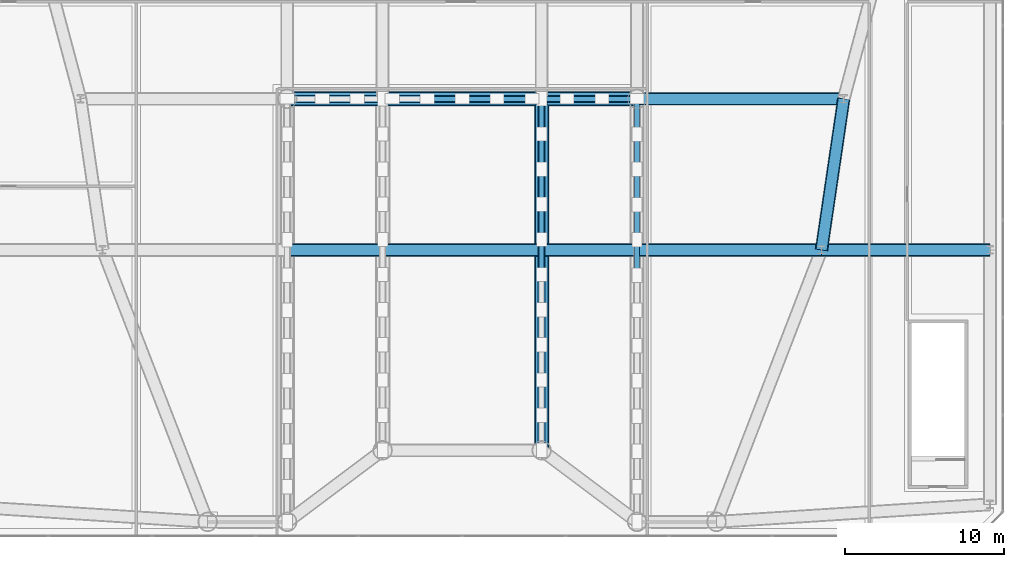
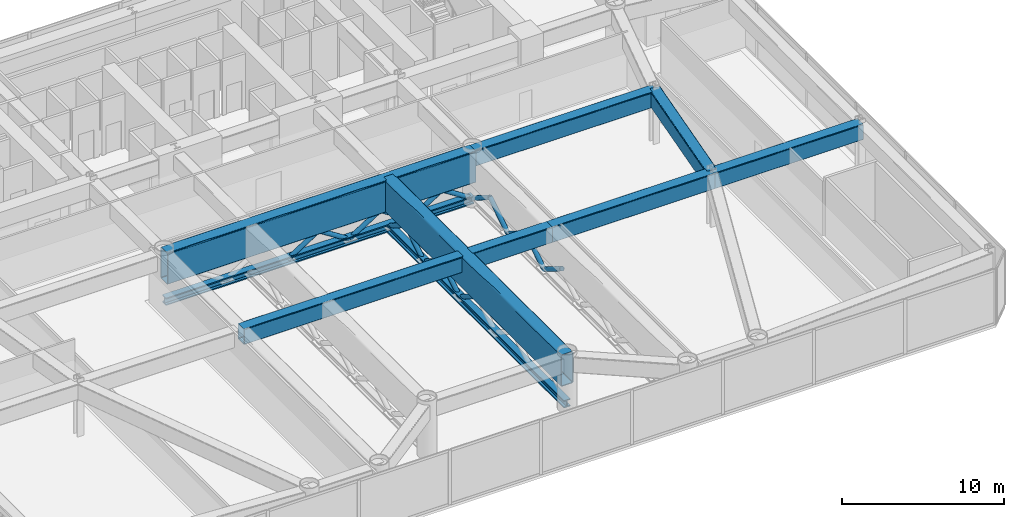
# One storey, part 6 of 21: 18 members, 7 beams.
"""IFC4 building model written with IfcOpenShell, lengths in metres."""

from ifc_helpers import new_model, si_unit, direction, frame, origin, origin_2d, place, context, subcontext, project, spatial, hollow_rectangle, hollow_circle, i_section, extrude, source, transform, mapped, material, material_profile, profile_set, type_object, element, save


model = new_model("IFC4")

# Units and contexts
model_context = context("Model", 3, precision=1e-05, world=origin(), true_north=direction((0.0, 1.0)))
body_context = subcontext(model_context, "Body", "Model", "MODEL_VIEW")
ifc_project = project(units=[si_unit("LENGTHUNIT", "METRE"), si_unit("AREAUNIT", "SQUARE_METRE"), si_unit("VOLUMEUNIT", "CUBIC_METRE"), si_unit("PLANEANGLEUNIT", "RADIAN"), si_unit("MASSUNIT", "GRAM", prefix="KILO")], contexts=[model_context])

# Site, building, storey
site_placement = place(None, origin())
site = spatial("IfcSite", under=ifc_project, at=site_placement, CompositionType="ELEMENT")
building_placement = place(site_placement, origin())
building = spatial("IfcBuilding", under=site, at=building_placement, Name="Vaeldorn Concourse Tower", CompositionType="ELEMENT")
storey_placement = place(building_placement, frame((0.0, 0.0, 14.39990234375)))
storey = spatial("IfcBuildingStorey", under=building, at=storey_placement, Name="L03", CompositionType="ELEMENT", Elevation=14.39990234375)

# Beams
ifc_material = material(Name="Steel S460", Category="steel")
ifc_material_profile_1 = material_profile(ifc_material, hollow_rectangle(XDim=0.89990234375, YDim=2.39990234375, WallThickness=0.06005859375, InnerFilletRadius=0.06005859375, OuterFilletRadius=0.1201171875, at=origin_2d()), Name="RHS 2400x900x60")
ifc_profile_set_1 = profile_set([ifc_material_profile_1], Name="Steel S460")
beam_type_1 = type_object("IfcBeamType", Name="BM-TG-BOX2400", PredefinedType="BEAM", material=ifc_profile_set_1)
shared_shape_1 = source(origin(), body_context, "Body", "SweptSolid", [
    extrude(hollow_rectangle(XDim=0.89990234375, YDim=2.39990234375, WallThickness=0.06005859375, InnerFilletRadius=0.06005859375, OuterFilletRadius=0.1201171875, at=origin_2d()), origin(), (0.0, 0.0, 1.0), 22.10009765625),
])
beam_1_placement = place(storey_placement, frame((39.0, 5.39990234375, 2.920166015625), z_axis=(0.0, 1.0, 0.0), x_axis=(-1.0, 0.0, 0.0)))
element("IfcBeam", 1, at=beam_1_placement, inside=storey, type_object=beam_type_1, Name="Beam BM-L03-TG-M22400", PredefinedType="BEAM", context=body_context, shape_type="MappedRepresentation", body=[
    mapped(shared_shape_1, transform((0.0, 0.0, 0.0), scale=1.0)),
])
shared_shape_2 = source(origin(), body_context, "Body", "SweptSolid", [
    extrude(hollow_rectangle(XDim=0.89990234375, YDim=2.39990234375, WallThickness=0.06005859375, InnerFilletRadius=0.06005859375, OuterFilletRadius=0.1201171875, at=origin_2d()), origin(), (0.0, 0.0, 1.0), 22.0),
])
beam_2_placement = place(storey_placement, frame((23.0, 27.5, 2.920166015625), z_axis=(1.0, 0.0, 0.0), x_axis=(0.0, 1.0, 0.0)))
element("IfcBeam", 2, at=beam_2_placement, inside=storey, type_object=beam_type_1, Name="Beam BM-L03-TG-EW2400", PredefinedType="BEAM", context=body_context, shape_type="MappedRepresentation", body=[
    mapped(shared_shape_2, transform((0.0, 0.0, 0.0), scale=1.0)),
])
ifc_material_profile_2 = material_profile(ifc_material, hollow_rectangle(XDim=0.800048828125, YDim=1.199951171875, WallThickness=0.044921875, InnerFilletRadius=0.044921875, OuterFilletRadius=0.090087890625, at=origin_2d()), Name="RHS 1200x800x45")
ifc_profile_set_2 = profile_set([ifc_material_profile_2], Name="Steel S460")
beam_type_2 = type_object("IfcBeamType", Name="BM-TG-RHS1200", PredefinedType="BEAM", material=ifc_profile_set_2)
shared_shape_3 = source(origin(), body_context, "Body", "SweptSolid", [
    extrude(hollow_rectangle(XDim=0.800048828125, YDim=1.199951171875, WallThickness=0.044921875, InnerFilletRadius=0.044921875, OuterFilletRadius=0.090087890625, at=origin_2d()), origin(), (0.0, 0.0, 1.0), 13.0),
])
beam_3_placement = place(storey_placement, frame((45.0, 27.5, 3.52001953125), z_axis=(1.0, 0.0, 0.0), x_axis=(0.0, 1.0, 0.0)))
element("IfcBeam", 3, at=beam_3_placement, inside=storey, type_object=beam_type_2, Name="Beam BM-L03-TG-08", PredefinedType="BEAM", context=body_context, shape_type="MappedRepresentation", body=[
    mapped(shared_shape_3, transform((0.0, 0.0, 0.0), scale=1.0)),
])
shared_shape_4 = source(origin(), body_context, "Body", "SweptSolid", [
    extrude(hollow_rectangle(XDim=0.800048828125, YDim=1.199951171875, WallThickness=0.044921875, InnerFilletRadius=0.044921875, OuterFilletRadius=0.090087890625, at=origin_2d()), origin(), (0.0, 0.0, 1.0), 11.60009765625),
])
beam_4_placement = place(storey_placement, frame((45.0, 18.0, 3.52001953125), z_axis=(1.0, 0.0, 0.0), x_axis=(0.0, 1.0, 0.0)))
element("IfcBeam", 4, at=beam_4_placement, inside=storey, type_object=beam_type_2, Name="Beam BM-L03-TG-11", PredefinedType="BEAM", context=body_context, shape_type="MappedRepresentation", body=[
    mapped(shared_shape_4, transform((0.0, 0.0, 0.0), scale=1.0)),
])
shared_shape_5 = source(origin(), body_context, "Body", "SweptSolid", [
    extrude(hollow_rectangle(XDim=0.800048828125, YDim=1.199951171875, WallThickness=0.044921875, InnerFilletRadius=0.044921875, OuterFilletRadius=0.090087890625, at=origin_2d()), origin(), (0.0, 0.0, 1.0), 22.0),
])
beam_5_placement = place(storey_placement, frame((23.0, 18.0, 3.52001953125), z_axis=(1.0, 0.0, 0.0), x_axis=(0.0, 1.0, 0.0)))
element("IfcBeam", 5, at=beam_5_placement, inside=storey, type_object=beam_type_2, Name="Beam BM-L03-TG-10", PredefinedType="BEAM", context=body_context, shape_type="MappedRepresentation", body=[
    mapped(shared_shape_5, transform((0.0, 0.0, 0.0), scale=1.0)),
])
shared_shape_6 = source(origin(), body_context, "Body", "SweptSolid", [
    extrude(hollow_rectangle(XDim=0.800048828125, YDim=1.199951171875, WallThickness=0.044921875, InnerFilletRadius=0.044921875, OuterFilletRadius=0.090087890625, at=origin_2d()), origin(), (0.0, 0.0, 1.0), 10.599853515625),
])
beam_6_placement = place(storey_placement, frame((56.60009765625, 18.0, 3.52001953125), z_axis=(1.0, 0.0, 0.0), x_axis=(0.0, 1.0, 0.0)))
element("IfcBeam", 6, at=beam_6_placement, inside=storey, type_object=beam_type_2, Name="Beam BM-L03-TG-26", PredefinedType="BEAM", context=body_context, shape_type="MappedRepresentation", body=[
    mapped(shared_shape_6, transform((0.0, 0.0, 0.0), scale=1.0)),
])
shared_shape_7 = source(origin(), body_context, "Body", "SweptSolid", [
    extrude(hollow_rectangle(XDim=0.800048828125, YDim=1.199951171875, WallThickness=0.044921875, InnerFilletRadius=0.044921875, OuterFilletRadius=0.090087890625, at=origin_2d()), origin(), (0.0, 0.0, 1.0), 9.6025390625),
])
beam_7_placement = place(storey_placement, frame((58.0, 27.5, 3.52001953125), z_axis=(-0.145783835977, -0.989316467652, 0.0), x_axis=(0.989316467652, -0.145783835977, 0.0)))
element("IfcBeam", 7, at=beam_7_placement, inside=storey, type_object=beam_type_2, Name="Beam BM-L03-TG-41", PredefinedType="BEAM", context=body_context, shape_type="MappedRepresentation", body=[
    mapped(shared_shape_7, transform((0.0, 0.0, 0.0), scale=1.0)),
])

# Members
ifc_material_profile_3 = material_profile(ifc_material, i_section(OverallWidth=0.4541015625, OverallDepth=0.569091796875, WebThickness=0.077880859375, FlangeThickness=0.080078125, FilletRadius=0.014892578125, at=origin_2d()), Name="HD 400x1086")
ifc_profile_set_3 = profile_set([ifc_material_profile_3], Name="Steel S460")
member_type_1 = type_object("IfcMemberType", Name="MB-TT-CHORD", PredefinedType="CHORD", material=ifc_profile_set_3)
shared_shape_8 = source(origin(), body_context, "Body", "SweptSolid", [
    extrude(i_section(OverallWidth=0.4541015625, OverallDepth=0.569091796875, WebThickness=0.077880859375, FlangeThickness=0.080078125, FilletRadius=0.014892578125, at=origin_2d()), origin(), (0.0, 0.0, 1.0), 22.0),
])
member_1_placement = place(storey_placement, frame((23.0, 27.5, 0.320068359375), z_axis=(1.0, 0.0, 0.0), x_axis=(0.0, 1.0, 0.0)))
element("IfcMember", 8, at=member_1_placement, inside=storey, type_object=member_type_1, Name="Concourse Transverse Collector Truss TT5 Bottom Chord", PredefinedType="CHORD", context=body_context, shape_type="MappedRepresentation", body=[
    mapped(shared_shape_8, transform((0.0, 0.0, 0.0), scale=1.0)),
])
ifc_material_profile_4 = material_profile(ifc_material, hollow_circle(Radius=0.161865234375, WallThickness=0.01611328125, at=origin_2d()), Name="CHS 323.9x16")
ifc_profile_set_4 = profile_set([ifc_material_profile_4], Name="Steel S460")
member_type_2 = type_object("IfcMemberType", Name="MB-KINK-STRUT", PredefinedType="STRUT", material=ifc_profile_set_4)
shared_shape_9 = source(origin(), body_context, "Body", "SweptSolid", [
    extrude(hollow_circle(Radius=0.161865234375, WallThickness=0.01611328125, at=origin_2d()), origin(), (0.0, 0.0, 1.0), 2.607666015625),
])
for number, where, z_axis, x_axis, name in (
    (9, (31.800048828125, 27.5, 0.320068359375), (0.843630646049, 0.0, 0.536923954621), (0.0, 1.0, 0.0), "Concourse Transverse Collector Truss TT5 Diagonal 5"),
    (10, (36.199951171875, 27.5, 0.320068359375), (-0.843630646049, 0.0, 0.536923954621), (0.0, -1.0, 0.0), "Concourse Transverse Collector Truss TT5 Diagonal 6"),
    (11, (36.199951171875, 27.5, 0.320068359375), (0.843630646049, 0.0, 0.536923954621), (0.0, 1.0, 0.0), "Concourse Transverse Collector Truss TT5 Diagonal 7"),
    (12, (40.60009765625, 27.5, 0.320068359375), (0.843630646049, 0.0, 0.536923954621), (0.0, 1.0, 0.0), "Concourse Transverse Collector Truss TT5 Diagonal 9"),
    (13, (45.0, 27.5, 0.320068359375), (-0.843630646049, 0.0, 0.536923954621), (0.0, -1.0, 0.0), "Concourse Transverse Collector Truss TT5 Diagonal 10"),
):
    element("IfcMember", number, at=place(storey_placement, frame(where, z_axis=z_axis, x_axis=x_axis)), inside=storey, type_object=member_type_2, Name=name, PredefinedType="STRUT", context=body_context, shape_type="MappedRepresentation", body=[
        mapped(shared_shape_9, transform((0.0, 0.0, 0.0), scale=1.0)),
    ])
shared_shape_10 = source(origin(), body_context, "Body", "SweptSolid", [
    extrude(hollow_circle(Radius=0.161865234375, WallThickness=0.01611328125, at=origin_2d()), origin(), (0.0, 0.0, 1.0), 2.60791015625),
])
member_2_placement = place(storey_placement, frame((40.60009765625, 27.5, 0.320068359375), z_axis=(-0.843657632978, 0.0, 0.536881549615), x_axis=(0.0, -1.0, 0.0)))
element("IfcMember", 14, at=member_2_placement, inside=storey, type_object=member_type_2, Name="Concourse Transverse Collector Truss TT5 Diagonal 8", PredefinedType="STRUT", context=body_context, shape_type="MappedRepresentation", body=[
    mapped(shared_shape_10, transform((0.0, 0.0, 0.0), scale=1.0)),
])
shared_shape_11 = source(origin(), body_context, "Body", "SweptSolid", [
    extrude(hollow_circle(Radius=0.161865234375, WallThickness=0.01611328125, at=origin_2d()), origin(), (0.0, 0.0, 1.0), 2.621826171875),
])
for number, where, z_axis, x_axis, name in (
    (15, (45.0, 18.63330078125, 0.320068359375), (0.0, -0.845451283482, 0.534052551027), (1.0, 0.0, 0.0), "Concourse Spanning Frame TT4 Web Diagonal 8"),
    (16, (45.0, 18.63330078125, 0.320068359375), (0.0, 0.845477839764, 0.534010507825), (-1.0, 0.0, 0.0), "Concourse Spanning Frame TT4 Web Diagonal 9"),
    (17, (45.0, 23.066650390625, 0.320068359375), (0.0, -0.845451283482, 0.534052551027), (1.0, 0.0, 0.0), "Concourse Spanning Frame TT4 Web Diagonal 10"),
    (18, (45.0, 23.066650390625, 0.320068359375), (0.0, 0.845451283482, 0.534052551027), (-1.0, 0.0, 0.0), "Concourse Spanning Frame TT4 Web Diagonal 11"),
    (19, (45.0, 27.5, 0.320068359375), (0.0, -0.845477839764, 0.534010507825), (1.0, 0.0, 0.0), "Concourse Spanning Frame TT4 Web Diagonal 12"),
):
    element("IfcMember", number, at=place(storey_placement, frame(where, z_axis=z_axis, x_axis=x_axis)), inside=storey, type_object=member_type_2, Name=name, PredefinedType="STRUT", context=body_context, shape_type="MappedRepresentation", body=[
        mapped(shared_shape_11, transform((0.0, 0.0, 0.0), scale=1.0)),
    ])
shared_shape_12 = source(origin(), body_context, "Body", "SweptSolid", [
    extrude(i_section(OverallWidth=0.4541015625, OverallDepth=0.569091796875, WebThickness=0.077880859375, FlangeThickness=0.080078125, FilletRadius=0.014892578125, at=origin_2d()), origin(), (0.0, 0.0, 1.0), 22.10009765625),
])
member_3_placement = place(storey_placement, frame((39.0, 5.39990234375, 0.320068359375), z_axis=(0.0, 1.0, 0.0), x_axis=(-1.0, 0.0, 0.0)))
element("IfcMember", 20, at=member_3_placement, inside=storey, type_object=member_type_1, Name="Concourse Spanning Frame TT3 Bottom Chord", PredefinedType="CHORD", context=body_context, shape_type="MappedRepresentation", body=[
    mapped(shared_shape_12, transform((0.0, 0.0, 0.0), scale=1.0)),
])
shared_shape_13 = source(origin(), body_context, "Body", "SweptSolid", [
    extrude(hollow_circle(Radius=0.161865234375, WallThickness=0.01611328125, at=origin_2d()), origin(), (0.0, 0.0, 1.0), 2.616455078125),
])
member_4_placement = place(storey_placement, frame((39.0, 18.659912109375, 0.320068359375), z_axis=(0.0, 0.844758613094, 0.535147536296), x_axis=(-1.0, 0.0, 0.0)))
element("IfcMember", 21, at=member_4_placement, inside=storey, type_object=member_type_2, Name="Concourse Spanning Frame TT3 Web Diagonal 7", PredefinedType="STRUT", context=body_context, shape_type="MappedRepresentation", body=[
    mapped(shared_shape_13, transform((0.0, 0.0, 0.0), scale=1.0)),
])
shared_shape_14 = source(origin(), body_context, "Body", "SweptSolid", [
    extrude(hollow_circle(Radius=0.161865234375, WallThickness=0.01611328125, at=origin_2d()), origin(), (0.0, 0.0, 1.0), 2.6162109375),
])
for number, where, z_axis, x_axis, name in (
    (22, (39.0, 18.659912109375, 0.320068359375), (0.0, -0.844731886813, 0.53518972281), (1.0, 0.0, 0.0), "Concourse Spanning Frame TT3 Web Diagonal 6"),
    (23, (39.0, 23.080078125, 0.320068359375), (0.0, -0.844731886813, 0.53518972281), (1.0, 0.0, 0.0), "Concourse Spanning Frame TT3 Web Diagonal 8"),
    (24, (39.0, 23.080078125, 0.320068359375), (0.0, 0.844731886813, 0.53518972281), (-1.0, 0.0, 0.0), "Concourse Spanning Frame TT3 Web Diagonal 9"),
    (25, (39.0, 27.5, 0.320068359375), (0.0, -0.844731886813, 0.53518972281), (1.0, 0.0, 0.0), "Concourse Spanning Frame TT3 Web Diagonal 10"),
):
    element("IfcMember", number, at=place(storey_placement, frame(where, z_axis=z_axis, x_axis=x_axis)), inside=storey, type_object=member_type_2, Name=name, PredefinedType="STRUT", context=body_context, shape_type="MappedRepresentation", body=[
        mapped(shared_shape_14, transform((0.0, 0.0, 0.0), scale=1.0)),
    ])

save(model, "model.ifc")
